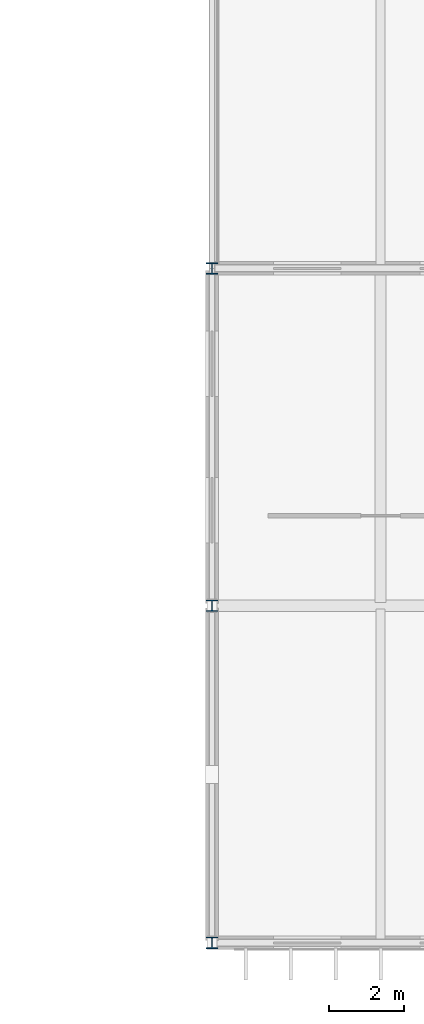
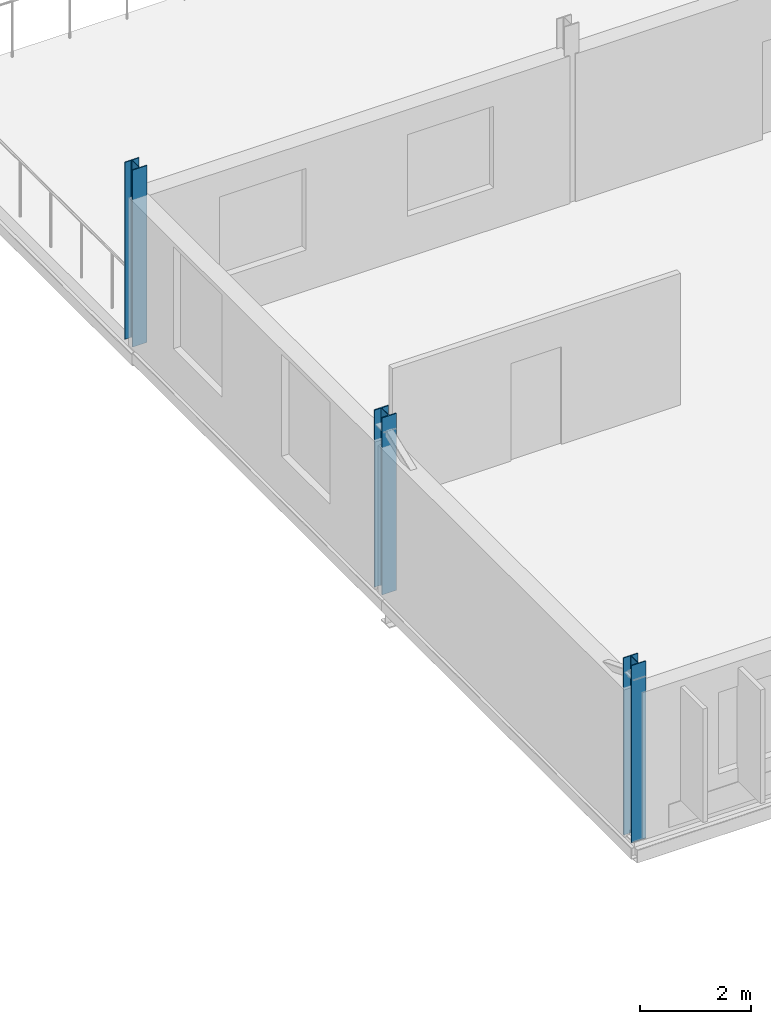
# One storey, part 5 of 123: 3 columns.
"""IFC4 building model written with IfcOpenShell, lengths in metres."""

from ifc_helpers import new_model, si_unit, direction, frame, origin, origin_2d, place, context, subcontext, project, spatial, i_section, extrude, material, material_profile, profile_set, type_object, element, save


model = new_model("IFC4")

# Units and contexts
model_context = context("Model", 3, precision=1e-05, world=origin(), true_north=direction((0.0, 1.0)))
body_context = subcontext(model_context, "Body", "Model", "MODEL_VIEW")
ifc_project = project(units=[si_unit("LENGTHUNIT", "METRE"), si_unit("AREAUNIT", "SQUARE_METRE"), si_unit("VOLUMEUNIT", "CUBIC_METRE"), si_unit("PLANEANGLEUNIT", "RADIAN"), si_unit("MASSUNIT", "GRAM", prefix="KILO")], contexts=[model_context])

# Site, building, storey
site_placement = place(None, origin())
site = spatial("IfcSite", under=ifc_project, at=site_placement, CompositionType="ELEMENT")
building_placement = place(site_placement, origin())
building = spatial("IfcBuilding", under=site, at=building_placement, Name="Kildeholm Park Wholesale Market", CompositionType="ELEMENT")
storey_placement = place(building_placement, frame((0.0, 0.0, 9.60009765625)))
storey = spatial("IfcBuildingStorey", under=building, at=storey_placement, Name="L02", CompositionType="ELEMENT", Elevation=9.60009765625)

# Columns
ifc_material = material(Name="Steel S355", Category="steel")
ifc_material_profile = material_profile(ifc_material, i_section(OverallWidth=0.300048828125, OverallDepth=0.300048828125, WebThickness=0.010986328125, FlangeThickness=0.01904296875, FilletRadius=0.027099609375, at=origin_2d()), Name="HEB 300")
ifc_profile_set = profile_set([ifc_material_profile], Name="Steel S355")
column_type = type_object("IfcColumnType", Name="Column C-S03 HEB 300", PredefinedType="COLUMN", material=ifc_profile_set)
for number, where, z_axis, x_axis, name in (
    (1, (126.0, 0.0, 0.0), (0.0, 0.0, 1.0), (1.0, 0.0, 0.0), "Column V5E-126-000 L02 COL-0762"),
    (2, (126.0, 9.0, 0.0), (0.0, 0.0, 1.0), (1.0, 0.0, 0.0), "Column V5E-126-009 L02 COL-0765"),
    (3, (126.0, 18.0, 0.0), (0.0, 0.0, 1.0), (1.0, 0.0, 0.0), "Column V5E-126-018 L02 COL-0768"),
):
    element("IfcColumn", number, at=place(storey_placement, frame(where, z_axis=z_axis, x_axis=x_axis)), inside=storey, type_object=column_type, Name=name, PredefinedType="COLUMN", context=body_context, shape_type="SweptSolid", body=[
        extrude(i_section(OverallWidth=0.300048828125, OverallDepth=0.300048828125, WebThickness=0.010986328125, FlangeThickness=0.01904296875, FilletRadius=0.027099609375, at=origin_2d()), origin(), (0.0, 0.0, 1.0), 3.89990234375),
    ])

save(model, "model.ifc")
